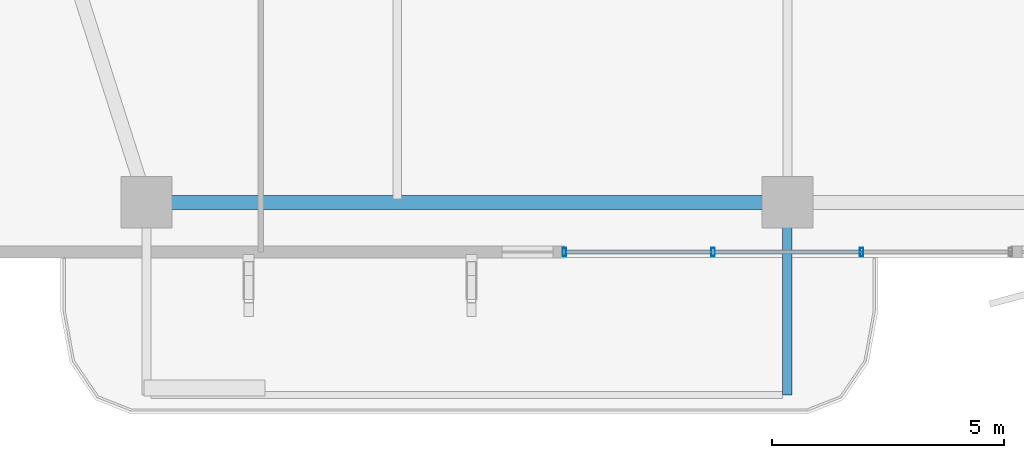
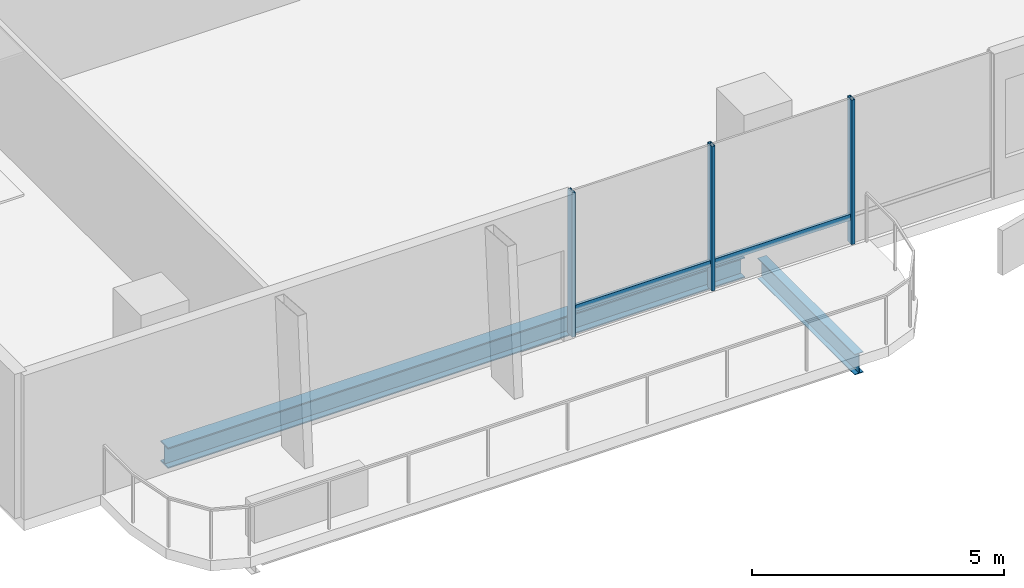
# One storey, part 2 of 25: 5 members, 2 beams, 1 element without a shape of its own.
"""IFC4 building model written with IfcOpenShell, lengths in metres."""

from ifc_helpers import new_model, si_unit, direction, frame, origin, origin_2d, place, context, subcontext, project, spatial, hollow_rectangle, i_section, extrude, material, layer, layer_set, material_profile, profile_set, type_object, element, aggregate, save


model = new_model("IFC4")

# Units and contexts
model_context = context("Model", 3, precision=1e-05, world=origin(), true_north=direction((0.0, 1.0)))
body_context = subcontext(model_context, "Body", "Model", "MODEL_VIEW")
ifc_project = project(units=[si_unit("LENGTHUNIT", "METRE"), si_unit("AREAUNIT", "SQUARE_METRE"), si_unit("VOLUMEUNIT", "CUBIC_METRE"), si_unit("PLANEANGLEUNIT", "RADIAN"), si_unit("MASSUNIT", "GRAM", prefix="KILO")], contexts=[model_context])

# Site, building, storey
site_placement = place(None, origin())
site = spatial("IfcSite", under=ifc_project, at=site_placement, CompositionType="ELEMENT")
building_placement = place(site_placement, origin())
building = spatial("IfcBuilding", under=site, at=building_placement, Name="Belovzor Exchange Tower", CompositionType="ELEMENT")
storey_placement = place(building_placement, frame((0.0, 0.0, 183.300048828125)))
storey = spatial("IfcBuildingStorey", under=building, at=storey_placement, Name="L45", CompositionType="ELEMENT", Elevation=183.300048828125)

# Beam
ifc_material_1 = material(Name="Steel S355", Category="steel")
ifc_material_profile_1 = material_profile(ifc_material_1, i_section(OverallWidth=0.199951171875, OverallDepth=0.5, WebThickness=0.01025390625, FlangeThickness=0.01611328125, at=origin_2d()))
ifc_profile_set_1 = profile_set([ifc_material_profile_1], Name="Steel S355")
beam_type_1 = type_object("IfcBeamType", Name="Planted Balcony Cantilever Beam IPE 500", PredefinedType="BEAM", material=ifc_profile_set_1)
beam_1_placement = place(storey_placement, frame((28.800048828125, 5.39697265625, -0.505126953125), z_axis=(0.0, -1.0, 0.0), x_axis=(1.0, 0.0, 0.0)))
element("IfcBeam", 1, at=beam_1_placement, inside=storey, type_object=beam_type_1, Name="BC-500 Planted Balcony Cantilever Beam IPE 500", PredefinedType="BEAM", context=body_context, shape_type="SweptSolid", body=[
    extrude(i_section(OverallWidth=0.199951171875, OverallDepth=0.5, WebThickness=0.01025390625, FlangeThickness=0.01611328125, at=origin_2d()), origin(), (0.0, 0.0, 1.0), 3.849853515625),
])

# Curtain wall, members
ifc_material_2 = material(Name="Anodised Aluminium Framing", Category="aluminium")
ifc_layer = layer(ifc_material_2, 0.179931640625)
ifc_layer_set = layer_set([ifc_layer], Name="Anodised Aluminium Framing")
curtain_wall_type = type_object("IfcCurtainWallType", Name="Recessed Loggia Low-Iron Triple-Glazed Curtain Wall", PredefinedType="NOTDEFINED", material=ifc_layer_set)
curtain_wall_placement = place(storey_placement, origin())
curtain_wall = element("IfcCurtainWall", 2, at=curtain_wall_placement, inside=storey, type_object=curtain_wall_type, Name="CW3 Recessed Loggia Low-Iron Triple-Glazed Curtain Wall L45", PredefinedType="NOTDEFINED")
ifc_material_3 = material(Name="Steel S355", Category="steel")
ifc_material_profile_2 = material_profile(ifc_material_3, hollow_rectangle(XDim=0.074951171875, YDim=0.179931640625, WallThickness=0.0048828125, at=origin_2d()))
ifc_profile_set_2 = profile_set([ifc_material_profile_2], Name="Steel S355")
member_type_1 = type_object("IfcMemberType", Name="Thermally Broken Curtain Wall Mullion 180x75", PredefinedType="MULLION", material=ifc_profile_set_2)
member_1_placement = place(storey_placement, frame((30.39990234375, 4.6298828125, 0.0), z_axis=(0.0, 0.0, 1.0), x_axis=(-1.0, 0.0, 0.0)))
member_1 = element("IfcMember", 3, at=member_1_placement, type_object=member_type_1, Name="CW-M180 Curtain Wall Mullion 2", PredefinedType="MULLION", context=body_context, shape_type="SweptSolid", body=[
    extrude(hollow_rectangle(XDim=0.074951171875, YDim=0.179931640625, WallThickness=0.0048828125, at=origin_2d()), origin(), (0.0, 0.0, 1.0), 3.494873046875),
])
member_2_placement = place(storey_placement, frame((27.199951171875, 4.6298828125, 0.0), z_axis=(0.0, 0.0, 1.0), x_axis=(-1.0, 0.0, 0.0)))
member_2 = element("IfcMember", 4, at=member_2_placement, type_object=member_type_1, Name="CW-M180 Curtain Wall Mullion 3", PredefinedType="MULLION", context=body_context, shape_type="SweptSolid", body=[
    extrude(hollow_rectangle(XDim=0.074951171875, YDim=0.179931640625, WallThickness=0.0048828125, at=origin_2d()), origin(), (0.0, 0.0, 1.0), 3.494873046875),
])
member_3_placement = place(storey_placement, frame((24.0, 4.6298828125, 0.0), z_axis=(0.0, 0.0, 1.0), x_axis=(-1.0, 0.0, 0.0)))
member_3 = element("IfcMember", 5, at=member_3_placement, type_object=member_type_1, Name="CW-M180 Curtain Wall Mullion 4", PredefinedType="MULLION", context=body_context, shape_type="SweptSolid", body=[
    extrude(hollow_rectangle(XDim=0.074951171875, YDim=0.179931640625, WallThickness=0.0048828125, at=origin_2d()), origin(), (0.0, 0.0, 1.0), 3.494873046875),
])
ifc_material_4 = material(Name="Steel S355", Category="steel")
ifc_material_profile_3 = material_profile(ifc_material_4, hollow_rectangle(XDim=0.06005859375, YDim=0.14990234375, WallThickness=0.00390625, at=origin_2d()))
ifc_profile_set_3 = profile_set([ifc_material_profile_3], Name="Steel S355")
member_type_2 = type_object("IfcMemberType", Name="Thermally Broken Curtain Wall Transom 150x60", PredefinedType="USERDEFINED", material=ifc_profile_set_3)
member_4_placement = place(storey_placement, frame((30.39208984375, 4.6298828125, 0.62890625), z_axis=(-1.0, 0.0, 0.0), x_axis=(0.0, -1.0, 0.0)))
member_4 = element("IfcMember", 6, at=member_4_placement, type_object=member_type_2, Name="CW-T150 Curtain Wall Transom 2", ObjectType="TRANSOM", PredefinedType="USERDEFINED", context=body_context, shape_type="SweptSolid", body=[
    extrude(hollow_rectangle(XDim=0.06005859375, YDim=0.14990234375, WallThickness=0.00390625, at=origin_2d()), origin(), (0.0, 0.0, 1.0), 3.18408203125),
])
member_5_placement = place(storey_placement, frame((27.19189453125, 4.6298828125, 0.62890625), z_axis=(-1.0, 0.0, 0.0), x_axis=(0.0, -1.0, 0.0)))
member_5 = element("IfcMember", 7, at=member_5_placement, type_object=member_type_2, Name="CW-T150 Curtain Wall Transom 3", ObjectType="TRANSOM", PredefinedType="USERDEFINED", context=body_context, shape_type="SweptSolid", body=[
    extrude(hollow_rectangle(XDim=0.06005859375, YDim=0.14990234375, WallThickness=0.00390625, at=origin_2d()), origin(), (0.0, 0.0, 1.0), 3.183837890625),
])
aggregate(curtain_wall, [member_1, member_2, member_3, member_4, member_5])

# Beam
ifc_material_5 = material(Name="Steel S355", Category="steel")
ifc_material_profile_4 = material_profile(ifc_material_5, i_section(OverallWidth=0.300048828125, OverallDepth=0.5, WebThickness=0.014404296875, FlangeThickness=0.028076171875, at=origin_2d()))
ifc_profile_set_4 = profile_set([ifc_material_profile_4], Name="Steel S355")
beam_type_2 = type_object("IfcBeamType", Name="Zone 3 Waist Primary Girder HEB 500", PredefinedType="BEAM", material=ifc_profile_set_4)
beam_2_placement = place(storey_placement, frame((15.302978515625, 5.699951171875, -0.505126953125), z_axis=(1.0, 0.0, 0.0), x_axis=(0.0, 1.0, 0.0)))
element("IfcBeam", 8, at=beam_2_placement, inside=storey, type_object=beam_type_2, Name="FG-Z3 Zone 3 Waist Primary Girder HEB 500", PredefinedType="BEAM", context=body_context, shape_type="SweptSolid", body=[
    extrude(i_section(OverallWidth=0.300048828125, OverallDepth=0.5, WebThickness=0.014404296875, FlangeThickness=0.028076171875, at=origin_2d()), origin(), (0.0, 0.0, 1.0), 13.195068359375),
])

save(model, "model.ifc")
